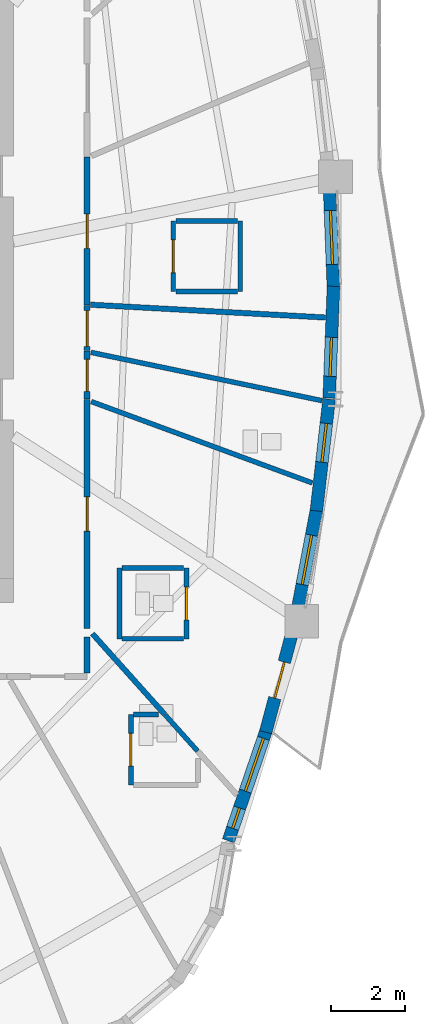
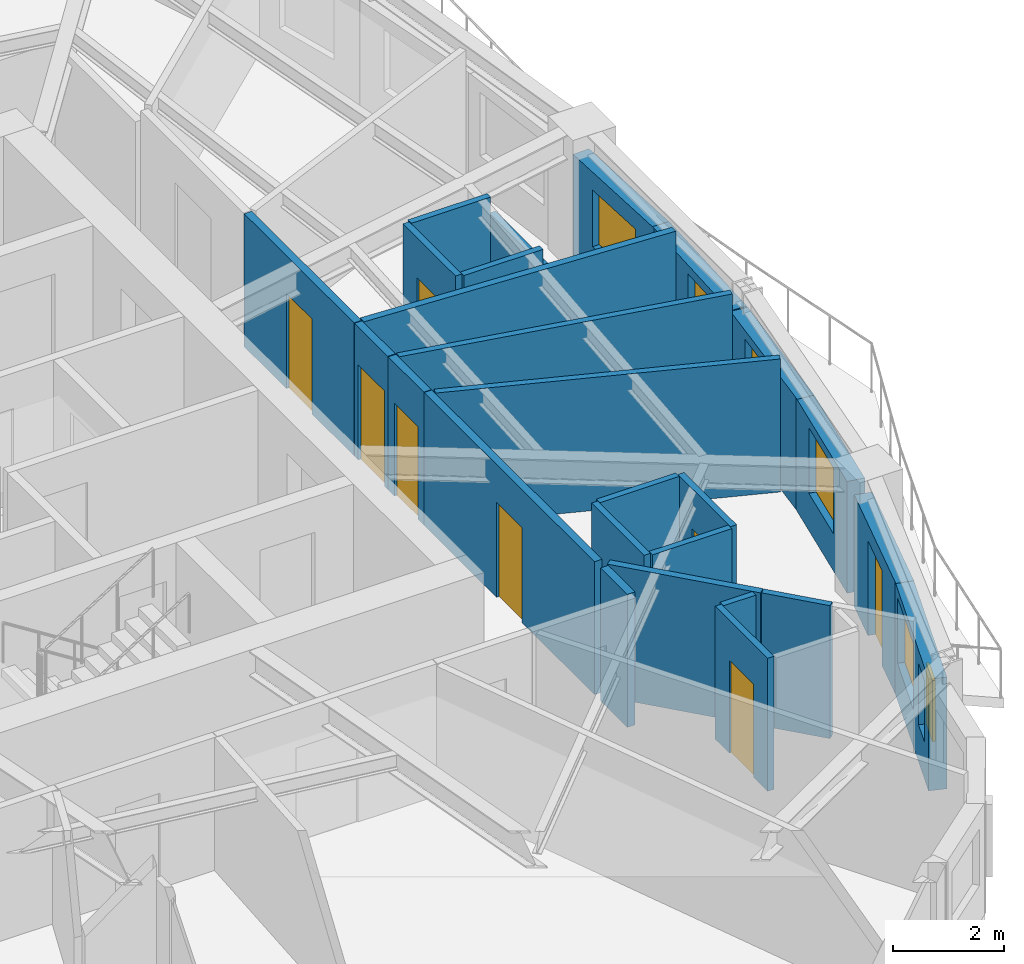
# One storey, part 7 of 13: 26 walls, 8 doors, 6 windows, 14 openings.
"""IFC4 building model written with IfcOpenShell, lengths in metres."""

import ifcopenshell
import ifcopenshell.guid

model = None  # the IFC model being written
_history = None  # IfcOwnerHistory: only IFC2X3 demands one
_inside = {}  # id of a spatial element -> (the spatial element, [elements in it])
_under = {}  # id of a project, library or spatial element -> (it, [spatial elements below it])
_declared = {}  # id of a project -> (the project, [libraries it declares])
_typed = {}  # id of a type object -> (the type object, [elements of that type])
_made_of = {}  # id of a material, layer set ... -> (it, [elements and type objects made of it])


def new_model(schema):
    """Start an empty IFC model of exactly this schema.

    Asked for "IFC4X3", IfcOpenShell would pick the latest addendum, in which some entities
    have other attributes; the version numbers below select the first issue.
    IFC2X3 requires an IfcOwnerHistory on every rooted entity: one is made here for all.
    """
    global model, _history
    if schema == "IFC4X3":
        model = ifcopenshell.file(schema_version=(4, 3, 0, 0))
    else:
        model = ifcopenshell.file(schema=schema)
    _inside.clear()
    _under.clear()
    _declared.clear()
    _typed.clear()
    _made_of.clear()
    _history = None
    if model.schema == "IFC2X3":
        org = make("IfcOrganization", Name="unknown")
        user = make(
            "IfcPersonAndOrganization",
            ThePerson=make("IfcPerson", FamilyName="unknown"),
            TheOrganization=org,
        )
        app = make(
            "IfcApplication",
            ApplicationDeveloper=org,
            Version="unknown",
            ApplicationFullName="unknown",
            ApplicationIdentifier="unknown",
        )
        _history = make(
            "IfcOwnerHistory",
            OwningUser=user,
            OwningApplication=app,
            ChangeAction="ADDED",
            CreationDate=0,
        )
    return model


def make(cls, **values):
    """One entity of the class cls with the attributes given. An attribute that is None is left unset."""
    return model.create_entity(
        cls, **{name: value for name, value in values.items() if value is not None}
    )


def rooted(cls, **values):
    """An entity with a GlobalId (a new one), such as an element, a storey or a relation."""
    return make(cls, GlobalId=ifcopenshell.guid.new(), OwnerHistory=_history, **values)


def si_unit(unit_type, name, prefix=None):
    """IfcSIUnit, for example si_unit("LENGTHUNIT", "METRE", prefix="MILLI")."""
    return make("IfcSIUnit", UnitType=unit_type, Prefix=prefix, Name=name)


def assignment(units):
    """IfcUnitAssignment: the units of a project."""
    return None if units is None else make("IfcUnitAssignment", Units=units)


def point(xyz):
    """IfcCartesianPoint."""
    return None if xyz is None else make("IfcCartesianPoint", Coordinates=xyz)


def direction(xyz):
    """IfcDirection."""
    return None if xyz is None else make("IfcDirection", DirectionRatios=xyz)


def frame(location, z_axis=None, x_axis=None):
    """IfcAxis2Placement3D, a coordinate frame: its origin and axes. An axis left out is left unset."""
    return make(
        "IfcAxis2Placement3D",
        Location=point(location),
        Axis=direction(z_axis),
        RefDirection=direction(x_axis),
    )


def frame_2d(location, x_axis=None):
    """IfcAxis2Placement2D, a coordinate frame in the plane: its origin and x axis."""
    return make(
        "IfcAxis2Placement2D", Location=point(location), RefDirection=direction(x_axis)
    )


def origin():
    """The frame at (0, 0, 0) with its axes left unset."""
    return frame((0.0, 0.0, 0.0))


def place(relative_to, where):
    """IfcLocalPlacement: puts the frame where relative to a parent placement (None: the world)."""
    return make(
        "IfcLocalPlacement", PlacementRelTo=relative_to, RelativePlacement=where
    )


def context(
    kind, dimensions, precision=None, world=None, true_north=None, identifier=None
):
    """IfcGeometricRepresentationContext, for example the 3D "Model" context."""
    return make(
        "IfcGeometricRepresentationContext",
        ContextIdentifier=identifier,
        ContextType=kind,
        CoordinateSpaceDimension=dimensions,
        Precision=precision,
        WorldCoordinateSystem=world,
        TrueNorth=true_north,
    )


def subcontext(parent, identifier, kind, view, scale=None):
    """IfcGeometricRepresentationSubContext, for example "Body" below "Model"."""
    return make(
        "IfcGeometricRepresentationSubContext",
        ContextIdentifier=identifier,
        ContextType=kind,
        ParentContext=parent,
        TargetScale=scale,
        TargetView=view,
    )


def project(units=None, contexts=None):
    """IfcProject with its units and contexts."""
    return rooted(
        "IfcProject",
        Name="project",
        RepresentationContexts=contexts,
        UnitsInContext=assignment(units),
    )


def spatial(cls, under=None, at=None, **own):
    """A site, building, storey or space (cls), placed at a placement, below another one or the project."""
    s = rooted(cls, ObjectPlacement=at, **own)
    if under is not None:
        _under.setdefault(under.id(), (under, []))[1].append(s)
    return s


def profile(cls, at=None, kind="AREA", **sizes):
    """A parametric profile (cls). Its sizes go by their IFC names, for example OverallWidth=200.0."""
    return make(cls, ProfileType=kind, Position=at, **sizes)


def rectangle(**sizes):
    """IfcRectangleProfileDef."""
    return profile("IfcRectangleProfileDef", **sizes)


def extrude(swept, where, along, depth):
    """IfcExtrudedAreaSolid: the profile swept, set in the frame where, extruded along a direction by depth."""
    return make(
        "IfcExtrudedAreaSolid",
        SweptArea=swept,
        Position=where,
        ExtrudedDirection=direction(along),
        Depth=depth,
    )


def shape(context_of_items, identifier, shape_type, items):
    """IfcShapeRepresentation: the items that make up one representation, for example the "Body"."""
    return make(
        "IfcShapeRepresentation",
        ContextOfItems=context_of_items,
        RepresentationIdentifier=identifier,
        RepresentationType=shape_type,
        Items=items,
    )


def source(mapping_origin, context_of_items, identifier, shape_type, items):
    """IfcRepresentationMap: a shape defined once, which mapped items show again and again."""
    return make(
        "IfcRepresentationMap",
        MappingOrigin=mapping_origin,
        MappedRepresentation=shape(context_of_items, identifier, shape_type, items),
    )


def transform(
    local_origin,
    x_axis=None,
    y_axis=None,
    z_axis=None,
    scale=None,
    scale2=None,
    scale3=None,
    uniform=True,
):
    """IfcCartesianTransformationOperator3D, or its non-uniform kind. x_axis, y_axis, z_axis: its Axis1, 2, 3."""
    if uniform:
        return make(
            "IfcCartesianTransformationOperator3D",
            Axis1=direction(x_axis),
            Axis2=direction(y_axis),
            LocalOrigin=point(local_origin),
            Scale=scale,
            Axis3=direction(z_axis),
        )
    return make(
        "IfcCartesianTransformationOperator3DnonUniform",
        Axis1=direction(x_axis),
        Axis2=direction(y_axis),
        LocalOrigin=point(local_origin),
        Scale=scale,
        Axis3=direction(z_axis),
        Scale2=scale2,
        Scale3=scale3,
    )


def mapped(mapping_source, mapping_target):
    """IfcMappedItem: shows the shape of a source again, moved by a transform."""
    return make(
        "IfcMappedItem", MappingSource=mapping_source, MappingTarget=mapping_target
    )


def material(Name=None, Category=None):
    """IfcMaterial."""
    return make("IfcMaterial", Name=Name, Category=Category)


def layer(
    of_material, thickness, ventilated=None, Name=None, Category=None, Priority=None
):
    """IfcMaterialLayer: one layer of a wall or slab, of a material (None: an air gap)."""
    return make(
        "IfcMaterialLayer",
        Material=of_material,
        LayerThickness=thickness,
        IsVentilated=ventilated,
        Name=Name,
        Category=Category,
        Priority=Priority,
    )


def layer_set(layers, Name=None):
    """IfcMaterialLayerSet."""
    return make("IfcMaterialLayerSet", MaterialLayers=layers, LayerSetName=Name)


def made_of(thing, what):
    """Note that an element or type object is made of a material, layer set ...; save() writes the relation."""
    if what is not None:
        _made_of.setdefault(what.id(), (what, []))[1].append(thing)
    return thing


def type_object(cls, material=None, **own):
    """A type object (cls), such as IfcWallType, which elements share."""
    return made_of(rooted(cls, **own), material)


def element(
    cls,
    number,
    at=None,
    inside=None,
    cuts=None,
    type_object=None,
    material=None,
    context=None,
    identifier="Body",
    shape_type=None,
    held_by="IfcProductDefinitionShape",
    body=None,
    shapes=None,
    **own,
):
    """One element of the class cls, such as IfcWall. Its Tag is "e" and its number.

    at: its placement. inside: the storey or other place that contains it. cuts: it is an
    opening in that element (IfcRelVoidsElement). A single representation is given by context,
    identifier, shape_type and body (its items); several are given by shapes. held_by: the class
    of the entity that holds the representations. save() writes the other relations.
    """
    e = rooted(cls, Tag="e%d" % number, ObjectPlacement=at, **own)
    if body is not None:
        shapes = [shape(context, identifier, shape_type, body)]
    if shapes is not None:
        e.Representation = make(held_by, Representations=shapes)
    if inside is not None:
        _inside.setdefault(inside.id(), (inside, []))[1].append(e)
    if cuts is not None:
        rooted(
            "IfcRelVoidsElement", RelatingBuildingElement=cuts, RelatedOpeningElement=e
        )
    if type_object is not None:
        _typed.setdefault(type_object.id(), (type_object, []))[1].append(e)
    return made_of(e, material)


def fill(opening, filler):
    """IfcRelFillsElement: the door or window that sits in an opening."""
    return rooted(
        "IfcRelFillsElement",
        RelatingOpeningElement=opening,
        RelatedBuildingElement=filler,
    )


def aggregate(whole, parts):
    """IfcRelAggregates: a whole, such as a stair, and the parts it consists of."""
    return rooted("IfcRelAggregates", RelatingObject=whole, RelatedObjects=parts)


def save(model, path):
    """Write the relations noted so far, then the file.

    IfcRelAggregates (storeys below a building ...), IfcRelContainedInSpatialStructure (elements
    in a storey), IfcRelDefinesByType, IfcRelAssociatesMaterial and IfcRelDeclares: one each for
    every whole, place, type object, material and project.
    """
    for whole, parts in _under.values():
        aggregate(whole, parts)
    for where, things in _inside.values():
        rooted(
            "IfcRelContainedInSpatialStructure",
            RelatedElements=things,
            RelatingStructure=where,
        )
    for kind, things in _typed.values():
        rooted("IfcRelDefinesByType", RelatedObjects=things, RelatingType=kind)
    for what, things in _made_of.values():
        rooted("IfcRelAssociatesMaterial", RelatedObjects=things, RelatingMaterial=what)
    for by, libraries in _declared.values():
        rooted("IfcRelDeclares", RelatingContext=by, RelatedDefinitions=libraries)
    model.write(path)


model = new_model("IFC4")

# Units and contexts
model_context = context("Model", 3, precision=1e-05, world=origin(), true_north=direction((0.0, 1.0)))
body_context = subcontext(model_context, "Body", "Model", "MODEL_VIEW")
ifc_project = project(units=[si_unit("LENGTHUNIT", "METRE"), si_unit("AREAUNIT", "SQUARE_METRE"), si_unit("VOLUMEUNIT", "CUBIC_METRE"), si_unit("PLANEANGLEUNIT", "RADIAN"), si_unit("MASSUNIT", "GRAM", prefix="KILO")], contexts=[model_context])

# Site, building, storey
site_placement = place(None, origin())
site = spatial("IfcSite", under=ifc_project, at=site_placement, CompositionType="ELEMENT")
building_placement = place(site_placement, origin())
building = spatial("IfcBuilding", under=site, at=building_placement, Name="Qafzar Sky-Pleat Residences", CompositionType="ELEMENT")
storey_placement = place(building_placement, frame((0.0, 0.0, 105.60009765625)))
storey = spatial("IfcBuildingStorey", under=building, at=storey_placement, Name="L31", CompositionType="ELEMENT", Elevation=105.60009765625)

# Wall, opening, door
ifc_material_1 = material(Name="Acoustic gypsum plasterboard partition", Category="gypsum")
ifc_layer_1 = layer(ifc_material_1, 0.159912109375)
ifc_layer_set_1 = layer_set([ifc_layer_1], Name="Acoustic gypsum plasterboard partition")
wall_type_1 = type_object("IfcWallType", Name="PART-COR-160", PredefinedType="PARTITIONING", material=ifc_layer_set_1)
wall_1_placement = place(storey_placement, frame((38.530029296875, 23.0048828125, 0.0), z_axis=(0.0, 0.0, 1.0), x_axis=(0.0, -1.0, 0.0)))
wall_1 = element("IfcWall", 1, at=wall_1_placement, inside=storey, type_object=wall_type_1, Name="L31 Partition Wall PART-L31-PW-001", PredefinedType="PARTITIONING", context=body_context, shape_type="SweptSolid", body=[
    extrude(rectangle(XDim=6.156982421875, YDim=0.159912109375, at=frame_2d((3.07861328125, 0.0))), origin(), (0.0, 0.0, 1.0), 2.934814453125),
])
opening_1_placement = place(wall_1_placement, frame((2.615478515625, 0.0, 0.0)))
opening_1 = element("IfcOpeningElement", 2, at=opening_1_placement, cuts=wall_1, Name="Opening ID-04", PredefinedType="OPENING", context=body_context, shape_type="SweptSolid", body=[
    extrude(rectangle(XDim=0.919921875, YDim=2.10009765625, at=frame_2d((0.4599609375, 1.050048828125))), frame((0.0, 0.08984375, 0.0), z_axis=(0.0, -1.0, 0.0), x_axis=(1.0, 0.0, 0.0)), (0.0, 0.0, 1.0), 0.179931640625),
])
ifc_material_2 = material(Name="Timber-faced fire door", Category="wood")
door_type_1 = type_object("IfcDoorType", Name="DR-BED-920", OperationType="NOTDEFINED", PredefinedType="DOOR", material=ifc_material_2)
shared_shape_1 = source(origin(), body_context, "Body", "SweptSolid", [
    extrude(rectangle(XDim=0.919921875, YDim=2.10009765625, at=frame_2d((0.4599609375, 1.050048828125))), frame((0.0, 0.02490234375, 0.0), z_axis=(0.0, -1.0, 0.0), x_axis=(1.0, 0.0, 0.0)), (0.0, 0.0, 1.0), 0.050048828125),
])
door_1_placement = place(opening_1_placement, origin())
door_1 = element("IfcDoor", 3, at=door_1_placement, inside=storey, type_object=door_type_1, Name="L31 Co-Living Bedroom 4 Door", OperationType="SINGLE_SWING_RIGHT", OverallHeight=2.10009765625, OverallWidth=0.919921875, PredefinedType="DOOR", context=body_context, shape_type="MappedRepresentation", body=[
    mapped(shared_shape_1, transform((0.0, 0.0, 0.0), x_axis=(1.0, 0.0, 0.0), y_axis=(0.0, 1.0, 0.0), z_axis=(0.0, 0.0, 1.0), scale=1.0)),
])
fill(opening_1, door_1)

wall_2_placement = place(storey_placement, frame((38.530029296875, 29.513916015625, 0.0), z_axis=(0.0, 0.0, 1.0), x_axis=(0.0, -1.0, 0.0)))
wall_2 = element("IfcWall", 4, at=wall_2_placement, inside=storey, type_object=wall_type_1, Name="L31 Partition Wall PART-L31-PW-005", PredefinedType="PARTITIONING", context=body_context, shape_type="SweptSolid", body=[
    extrude(rectangle(XDim=3.973876953125, YDim=0.159912109375, at=frame_2d((1.98681640625, 0.0))), origin(), (0.0, 0.0, 1.0), 2.934814453125),
])
opening_2_placement = place(wall_2_placement, frame((1.528076171875, 0.0, 0.0)))
opening_2 = element("IfcOpeningElement", 5, at=opening_2_placement, cuts=wall_2, Name="Opening ID-04", PredefinedType="OPENING", context=body_context, shape_type="SweptSolid", body=[
    extrude(rectangle(XDim=0.919921875, YDim=2.10009765625, at=frame_2d((0.4599609375, 1.050048828125))), frame((0.0, 0.08984375, 0.0), z_axis=(0.0, -1.0, 0.0), x_axis=(1.0, 0.0, 0.0)), (0.0, 0.0, 1.0), 0.179931640625),
])
door_2_placement = place(opening_2_placement, origin())
door_2 = element("IfcDoor", 6, at=door_2_placement, inside=storey, type_object=door_type_1, Name="L31 Co-Living Bedroom 5 Door", OperationType="SINGLE_SWING_LEFT", OverallHeight=2.10009765625, OverallWidth=0.919921875, PredefinedType="DOOR", context=body_context, shape_type="MappedRepresentation", body=[
    mapped(shared_shape_1, transform((0.0, 0.0, 0.0), x_axis=(1.0, 0.0, 0.0), y_axis=(0.0, 1.0, 0.0), z_axis=(0.0, 0.0, 1.0), scale=1.0)),
])
fill(opening_2, door_2)

wall_3_placement = place(storey_placement, frame((38.530029296875, 24.305908203125, 0.0), z_axis=(0.0, 0.0, 1.0), x_axis=(0.0, -1.0, 0.0)))
wall_3 = element("IfcWall", 7, at=wall_3_placement, inside=storey, type_object=wall_type_1, Name="L31 Partition Wall PART-L31-PW-029", PredefinedType="PARTITIONING", context=body_context, shape_type="SweptSolid", body=[
    extrude(rectangle(XDim=1.285888671875, YDim=0.159912109375, at=frame_2d((0.64306640625, 0.0))), origin(), (0.0, 0.0, 1.0), 2.934814453125),
])
opening_3_placement = place(wall_3_placement, frame((0.22607421875, 0.0, 0.0)))
opening_3 = element("IfcOpeningElement", 8, at=opening_3_placement, cuts=wall_3, Name="Opening ID-09", PredefinedType="OPENING", context=body_context, shape_type="SweptSolid", body=[
    extrude(rectangle(XDim=0.860107421875, YDim=2.050048828125, at=frame_2d((0.43017578125, 1.02490234375))), frame((0.0, 0.08984375, 0.0), z_axis=(0.0, -1.0, 0.0), x_axis=(1.0, 0.0, 0.0)), (0.0, 0.0, 1.0), 0.179931640625),
])
door_type_2 = type_object("IfcDoorType", Name="DR-SVC-860", OperationType="NOTDEFINED", PredefinedType="DOOR", material=ifc_material_2)
shared_shape_2 = source(origin(), body_context, "Body", "SweptSolid", [
    extrude(rectangle(XDim=0.860107421875, YDim=2.050048828125, at=frame_2d((0.43017578125, 1.02490234375))), frame((0.0, 0.02490234375, 0.0), z_axis=(0.0, -1.0, 0.0), x_axis=(1.0, 0.0, 0.0)), (0.0, 0.0, 1.0), 0.050048828125),
])
door_3_placement = place(opening_3_placement, origin())
door_3 = element("IfcDoor", 9, at=door_3_placement, inside=storey, type_object=door_type_2, Name="L31 Accessible Shared Washroom Door", OperationType="SINGLE_SWING_RIGHT", OverallHeight=2.050048828125, OverallWidth=0.860107421875, PredefinedType="DOOR", context=body_context, shape_type="MappedRepresentation", body=[
    mapped(shared_shape_2, transform((0.0, 0.0, 0.0), x_axis=(1.0, 0.0, 0.0), y_axis=(0.0, 1.0, 0.0), z_axis=(0.0, 0.0, 1.0), scale=1.0)),
])
fill(opening_3, door_3)

wall_4_placement = place(storey_placement, frame((38.530029296875, 25.52490234375, 0.0), z_axis=(0.0, 0.0, 1.0), x_axis=(0.0, -1.0, 0.0)))
wall_4 = element("IfcWall", 10, at=wall_4_placement, inside=storey, type_object=wall_type_1, Name="L31 Partition Wall PART-L31-PW-030", PredefinedType="PARTITIONING", context=body_context, shape_type="SweptSolid", body=[
    extrude(rectangle(XDim=1.203857421875, YDim=0.159912109375, at=frame_2d((0.60205078125, 0.0))), origin(), (0.0, 0.0, 1.0), 2.934814453125),
])
opening_4_placement = place(wall_4_placement, frame((0.13427734375, 0.0, 0.0)))
opening_4 = element("IfcOpeningElement", 11, at=opening_4_placement, cuts=wall_4, Name="Opening ID-06", PredefinedType="OPENING", context=body_context, shape_type="SweptSolid", body=[
    extrude(rectangle(XDim=0.9599609375, YDim=2.10009765625, at=frame_2d((0.47998046875, 1.050048828125))), frame((0.0, 0.08984375, 0.0), z_axis=(0.0, -1.0, 0.0), x_axis=(1.0, 0.0, 0.0)), (0.0, 0.0, 1.0), 0.179931640625),
])
door_type_3 = type_object("IfcDoorType", Name="DR-STD-960", OperationType="NOTDEFINED", PredefinedType="DOOR", material=ifc_material_2)
shared_shape_3 = source(origin(), body_context, "Body", "SweptSolid", [
    extrude(rectangle(XDim=0.9599609375, YDim=2.10009765625, at=frame_2d((0.47998046875, 1.050048828125))), frame((0.0, 0.02490234375, 0.0), z_axis=(0.0, -1.0, 0.0), x_axis=(1.0, 0.0, 0.0)), (0.0, 0.0, 1.0), 0.050048828125),
])
door_4_placement = place(opening_4_placement, origin())
door_4 = element("IfcDoor", 12, at=door_4_placement, inside=storey, type_object=door_type_3, Name="L31 Scholar Study Room Door", OperationType="SINGLE_SWING_LEFT", OverallHeight=2.10009765625, OverallWidth=0.9599609375, PredefinedType="DOOR", context=body_context, shape_type="MappedRepresentation", body=[
    mapped(shared_shape_3, transform((0.0, 0.0, 0.0), x_axis=(1.0, 0.0, 0.0), y_axis=(0.0, 1.0, 0.0), z_axis=(0.0, 0.0, 1.0), scale=1.0)),
])
fill(opening_4, door_4)

# Walls
wall_5_placement = place(storey_placement, frame((38.530029296875, 15.657958984375, 0.0), z_axis=(0.0, 0.0, 1.0), x_axis=(0.0, 1.0, 0.0)))
element("IfcWall", 13, at=wall_5_placement, inside=storey, type_object=wall_type_1, Name="L31 Partition Wall PART-L31-PW-077", PredefinedType="PARTITIONING", context=body_context, shape_type="SweptSolid", body=[
    extrude(rectangle(XDim=0.968994140625, YDim=0.159912109375, at=frame_2d((0.484375, 0.0))), origin(), (0.0, 0.0, 1.0), 2.934814453125),
])
ifc_layer_2 = layer(ifc_material_1, 0.14501953125)
ifc_layer_set_2 = layer_set([ifc_layer_2], Name="Acoustic gypsum plasterboard partition")
wall_type_2 = type_object("IfcWallType", Name="PART-UNIT-145", PredefinedType="PARTITIONING", material=ifc_layer_set_2)
wall_6_placement = place(storey_placement, frame((38.621826171875, 25.550048828125, 0.0), z_axis=(0.0, 0.0, 1.0), x_axis=(0.998518036703, -0.054421782211, 0.0)))
element("IfcWall", 14, at=wall_6_placement, inside=storey, type_object=wall_type_2, Name="L31 Partition Wall PART-L31-PW-045", PredefinedType="PARTITIONING", context=body_context, shape_type="SweptSolid", body=[
    extrude(rectangle(XDim=6.32080078125, YDim=0.14501953125, at=frame_2d((3.160400390625, 0.0))), origin(), (0.0, 0.0, 1.0), 2.934814453125),
])
wall_7_placement = place(storey_placement, frame((38.669189453125, 16.714599609375, 0.0), z_axis=(0.0, 0.0, 1.0), x_axis=(0.667262858083, -0.744822313188, 0.0)))
element("IfcWall", 15, at=wall_7_placement, inside=storey, type_object=wall_type_2, Name="L31 Partition Wall PART-L31-PW-052", PredefinedType="PARTITIONING", context=body_context, shape_type="SweptSolid", body=[
    extrude(rectangle(XDim=2.91162109375, YDim=0.14501953125, at=frame_2d((1.455810546875, 0.0))), origin(), (0.0, 0.0, 1.0), 2.934814453125),
])

# Wall, opening, door
ifc_material_3 = material(Name="Moisture-resistant gypsum partition", Category="gypsum")
ifc_layer_3 = layer(ifc_material_3, 0.1298828125)
ifc_layer_set_3 = layer_set([ifc_layer_3], Name="Moisture-resistant gypsum partition")
wall_type_3 = type_object("IfcWallType", Name="PART-WET-130", PredefinedType="PARTITIONING", material=ifc_layer_set_3)
wall_8_placement = place(storey_placement, frame((39.7041015625, 14.5458984375, 0.0), z_axis=(0.0, 0.0, 1.0), x_axis=(0.0, -1.0, 0.0)))
wall_8 = element("IfcWall", 16, at=wall_8_placement, inside=storey, type_object=wall_type_3, Name="L31 Partition Wall PART-L31-PW-019", PredefinedType="PARTITIONING", context=body_context, shape_type="SweptSolid", body=[
    extrude(rectangle(XDim=1.89990234375, YDim=0.1298828125, at=frame_2d((0.949951171875, 0.0))), origin(), (0.0, 0.0, 1.0), 2.934814453125),
])
opening_5_placement = place(wall_8_placement, frame((0.510009765625, 0.0, 0.0)))
opening_5 = element("IfcOpeningElement", 17, at=opening_5_placement, cuts=wall_8, Name="Opening ID-07", PredefinedType="OPENING", context=body_context, shape_type="SweptSolid", body=[
    extrude(rectangle(XDim=0.8798828125, YDim=2.050048828125, at=frame_2d((0.43994140625, 1.02490234375))), frame((0.0, 0.074951171875, 0.0), z_axis=(0.0, -1.0, 0.0), x_axis=(1.0, 0.0, 0.0)), (0.0, 0.0, 1.0), 0.14990234375),
])
door_type_4 = type_object("IfcDoorType", Name="DR-WET-880", OperationType="NOTDEFINED", PredefinedType="DOOR", material=ifc_material_2)
shared_shape_4 = source(origin(), body_context, "Body", "SweptSolid", [
    extrude(rectangle(XDim=0.8798828125, YDim=2.050048828125, at=frame_2d((0.43994140625, 1.02490234375))), frame((0.0, 0.02490234375, 0.0), z_axis=(0.0, -1.0, 0.0), x_axis=(1.0, 0.0, 0.0)), (0.0, 0.0, 1.0), 0.050048828125),
])
door_5_placement = place(opening_5_placement, origin())
door_5 = element("IfcDoor", 18, at=door_5_placement, inside=storey, type_object=door_type_4, Name="L31 En-suite Bathroom 3 Door", OperationType="SINGLE_SWING_RIGHT", OverallHeight=2.050048828125, OverallWidth=0.8798828125, PredefinedType="DOOR", context=body_context, shape_type="MappedRepresentation", body=[
    mapped(shared_shape_4, transform((0.0, 0.0, 0.0), x_axis=(1.0, 0.0, 0.0), y_axis=(0.0, 1.0, 0.0), z_axis=(0.0, 0.0, 1.0), scale=1.0)),
])
fill(opening_5, door_5)

wall_9_placement = place(storey_placement, frame((41.195068359375, 16.575927734375, 0.0), z_axis=(0.0, 0.0, 1.0), x_axis=(0.0, 1.0, 0.0)))
wall_9 = element("IfcWall", 19, at=wall_9_placement, inside=storey, type_object=wall_type_3, Name="L31 Partition Wall PART-L31-PW-020", PredefinedType="PARTITIONING", context=body_context, shape_type="SweptSolid", body=[
    extrude(rectangle(XDim=1.900146484375, YDim=0.1298828125, at=frame_2d((0.9501953125, 0.0))), origin(), (0.0, 0.0, 1.0), 2.934814453125),
])
opening_6_placement = place(wall_9_placement, frame((0.510009765625, 0.0, 0.0)))
opening_6 = element("IfcOpeningElement", 20, at=opening_6_placement, cuts=wall_9, Name="Opening ID-07", PredefinedType="OPENING", context=body_context, shape_type="SweptSolid", body=[
    extrude(rectangle(XDim=0.8798828125, YDim=2.050048828125, at=frame_2d((0.43994140625, 1.02490234375))), frame((0.0, 0.074951171875, 0.0), z_axis=(0.0, -1.0, 0.0), x_axis=(1.0, 0.0, 0.0)), (0.0, 0.0, 1.0), 0.14990234375),
])
door_6_placement = place(opening_6_placement, origin())
door_6 = element("IfcDoor", 21, at=door_6_placement, inside=storey, type_object=door_type_4, Name="L31 En-suite Bathroom 4 Door", OperationType="SINGLE_SWING_LEFT", OverallHeight=2.050048828125, OverallWidth=0.8798828125, PredefinedType="DOOR", context=body_context, shape_type="MappedRepresentation", body=[
    mapped(shared_shape_4, transform((0.0, 0.0, 0.0), x_axis=(1.0, 0.0, 0.0), y_axis=(0.0, 1.0, 0.0), z_axis=(0.0, 0.0, 1.0), scale=1.0)),
])
fill(opening_6, door_6)

wall_10_placement = place(storey_placement, frame((40.842041015625, 27.802001953125, 0.0), z_axis=(0.0, 0.0, 1.0), x_axis=(0.0, -1.0, 0.0)))
wall_10 = element("IfcWall", 22, at=wall_10_placement, inside=storey, type_object=wall_type_3, Name="L31 Partition Wall PART-L31-PW-021", PredefinedType="PARTITIONING", context=body_context, shape_type="SweptSolid", body=[
    extrude(rectangle(XDim=1.89990234375, YDim=0.1298828125, at=frame_2d((0.949951171875, 0.0))), origin(), (0.0, 0.0, 1.0), 2.934814453125),
])
opening_7_placement = place(wall_10_placement, frame((0.510009765625, 0.0, 0.0)))
opening_7 = element("IfcOpeningElement", 23, at=opening_7_placement, cuts=wall_10, Name="Opening ID-07", PredefinedType="OPENING", context=body_context, shape_type="SweptSolid", body=[
    extrude(rectangle(XDim=0.8798828125, YDim=2.050048828125, at=frame_2d((0.43994140625, 1.02490234375))), frame((0.0, 0.074951171875, 0.0), z_axis=(0.0, -1.0, 0.0), x_axis=(1.0, 0.0, 0.0)), (0.0, 0.0, 1.0), 0.14990234375),
])
door_7_placement = place(opening_7_placement, origin())
door_7 = element("IfcDoor", 24, at=door_7_placement, inside=storey, type_object=door_type_4, Name="L31 En-suite Bathroom 5 Door", OperationType="SINGLE_SWING_RIGHT", OverallHeight=2.050048828125, OverallWidth=0.8798828125, PredefinedType="DOOR", context=body_context, shape_type="MappedRepresentation", body=[
    mapped(shared_shape_4, transform((0.0, 0.0, 0.0), x_axis=(1.0, 0.0, 0.0), y_axis=(0.0, 1.0, 0.0), z_axis=(0.0, 0.0, 1.0), scale=1.0)),
])
fill(opening_7, door_7)

# Walls
wall_11_placement = place(storey_placement, frame((38.639892578125, 22.948486328125, 0.0), z_axis=(0.0, 0.0, 1.0), x_axis=(0.938426101424, -0.3454800315, 0.0)))
element("IfcWall", 25, at=wall_11_placement, inside=storey, type_object=wall_type_3, Name="L31 Partition Wall PART-L31-PW-043", PredefinedType="PARTITIONING", context=body_context, shape_type="SweptSolid", body=[
    extrude(rectangle(XDim=6.326904296875, YDim=0.1298828125, at=frame_2d((3.16357421875, 0.0))), origin(), (0.0, 0.0, 1.0), 2.934814453125),
])
wall_12_placement = place(storey_placement, frame((38.631103515625, 24.27001953125, 0.0), z_axis=(0.0, 0.0, 1.0), x_axis=(0.978856283814, -0.204549201019, 0.0)))
element("IfcWall", 26, at=wall_12_placement, inside=storey, type_object=wall_type_3, Name="L31 Partition Wall PART-L31-PW-044", PredefinedType="PARTITIONING", context=body_context, shape_type="SweptSolid", body=[
    extrude(rectangle(XDim=6.34130859375, YDim=0.1298828125, at=frame_2d((3.170654296875, 0.0))), origin(), (0.0, 0.0, 1.0), 2.934814453125),
])
wall_13_placement = place(storey_placement, frame((39.39501953125, 16.575927734375, 0.0), z_axis=(0.0, 0.0, 1.0), x_axis=(0.0, 1.0, 0.0)))
element("IfcWall", 27, at=wall_13_placement, inside=storey, type_object=wall_type_3, Name="L31 Partition Wall PART-L31-PW-057", PredefinedType="PARTITIONING", context=body_context, shape_type="SweptSolid", body=[
    extrude(rectangle(XDim=1.900146484375, YDim=0.1298828125, at=frame_2d((0.9501953125, 0.0))), origin(), (0.0, 0.0, 1.0), 2.934814453125),
])
wall_14_placement = place(storey_placement, frame((42.64208984375, 25.902099609375, 0.0), z_axis=(0.0, 0.0, 1.0), x_axis=(0.0, 1.0, 0.0)))
element("IfcWall", 28, at=wall_14_placement, inside=storey, type_object=wall_type_3, Name="L31 Partition Wall PART-L31-PW-058", PredefinedType="PARTITIONING", context=body_context, shape_type="SweptSolid", body=[
    extrude(rectangle(XDim=1.89990234375, YDim=0.1298828125, at=frame_2d((0.949951171875, 0.0))), origin(), (0.0, 0.0, 1.0), 2.54296875),
])
for number, where, z_axis, x_axis, name in (
    (29, (40.9150390625, 27.802001953125, 0.0), (0.0, 0.0, 1.0), (1.0, 0.0, 0.0), "L31 Partition Wall PART-L31-PW-061"),
    (30, (40.9150390625, 25.902099609375, 0.0), (0.0, 0.0, 1.0), (1.0, 0.0, 0.0), "L31 Partition Wall PART-L31-PW-062"),
    (31, (39.468017578125, 18.47607421875, 0.0), (0.0, 0.0, 1.0), (1.0, 0.0, 0.0), "L31 Partition Wall PART-L31-PW-069"),
    (32, (39.468017578125, 16.575927734375, 0.0), (0.0, 0.0, 1.0), (1.0, 0.0, 0.0), "L31 Partition Wall PART-L31-PW-070"),
):
    element("IfcWall", number, at=place(storey_placement, frame(where, z_axis=z_axis, x_axis=x_axis)), inside=storey, type_object=wall_type_3, Name=name, PredefinedType="PARTITIONING", context=body_context, shape_type="SweptSolid", body=[
        extrude(rectangle(XDim=1.654052734375, YDim=0.1298828125, at=frame_2d((0.8271484375, 0.0))), origin(), (0.0, 0.0, 1.0), 2.934814453125),
    ])
wall_15_placement = place(storey_placement, frame((40.6220703125, 14.534912109375, 0.0), z_axis=(0.0, 0.0, 1.0), x_axis=(0.667455683483, -0.744649521981, 0.0)))
element("IfcWall", 33, at=wall_15_placement, inside=storey, type_object=wall_type_3, Name="L31 Partition Wall PART-L31-PW-076", PredefinedType="PARTITIONING", context=body_context, shape_type="SweptSolid", body=[
    extrude(rectangle(XDim=1.30615234375, YDim=0.1298828125, at=frame_2d((0.653076171875, 0.0))), origin(), (0.0, 0.0, 1.0), 2.934814453125),
])
wall_16_placement = place(storey_placement, frame((39.777099609375, 14.5458984375, 0.0), z_axis=(0.0, 0.0, 1.0), x_axis=(1.0, 0.0, 0.0)))
element("IfcWall", 34, at=wall_16_placement, inside=storey, type_object=wall_type_3, Name="L31 Partition Wall PART-L31-PW-083", PredefinedType="PARTITIONING", context=body_context, shape_type="SweptSolid", body=[
    extrude(rectangle(XDim=0.67138671875, YDim=0.1298828125, at=frame_2d((0.335693359375, 0.0))), origin(), (0.0, 0.0, 1.0), 2.934814453125),
])

# Wall, openings, windows
ifc_material_4 = material(Name="Precast concrete C40/50 with honed Riyadh limestone", Category="concrete")
ifc_layer_4 = layer(ifc_material_4, 0.340087890625)
ifc_layer_set_4 = layer_set([ifc_layer_4], Name="Precast concrete C40/50 with honed Riyadh limestone")
wall_type_4 = type_object("IfcWallType", Name="WALL-EXT-340", PredefinedType="SOLIDWALL", material=ifc_layer_set_4)
wall_17_placement = place(storey_placement, frame((42.322998046875, 11.150634765625, 0.0), z_axis=(0.0, 0.0, 1.0), x_axis=(0.323606092462, 0.94619189223, 0.0)))
wall_17 = element("IfcWall", 35, at=wall_17_placement, inside=storey, type_object=wall_type_4, Name="L31 Limestone Facade Wall 23", PredefinedType="SOLIDWALL", context=body_context, shape_type="SweptSolid", body=[
    extrude(rectangle(XDim=3.17236328125, YDim=0.340087890625, at=frame_2d((1.586181640625, 0.0))), origin(), (0.0, 0.0, 1.0), 2.46484375),
])
opening_8_placement = place(wall_17_placement, frame((0.35302734375, 0.0, 0.820068359375)))
opening_8 = element("IfcOpeningElement", 36, at=opening_8_placement, cuts=wall_17, Name="Opening WN-17", PredefinedType="OPENING", context=body_context, shape_type="SweptSolid", body=[
    extrude(rectangle(XDim=0.580078125, YDim=1.35009765625, at=frame_2d((0.2900390625, 0.675048828125))), frame((0.0, 0.18017578125, 0.0), z_axis=(0.0, -1.0, 0.0), x_axis=(1.0, 0.0, 0.0)), (0.0, 0.0, 1.0), 0.360107421875),
])
opening_9_placement = place(wall_17_placement, frame((1.40966796875, 0.0, 0.820068359375)))
opening_9 = element("IfcOpeningElement", 37, at=opening_9_placement, cuts=wall_17, Name="Opening WN-03", PredefinedType="OPENING", context=body_context, shape_type="SweptSolid", body=[
    extrude(rectangle(XDim=1.5, YDim=1.449951171875, at=frame_2d((0.75, 0.72509765625))), frame((0.0, 0.18017578125, 0.0), z_axis=(0.0, -1.0, 0.0), x_axis=(1.0, 0.0, 0.0)), (0.0, 0.0, 1.0), 0.360107421875),
])
ifc_material_5 = material(Name="Solar-control low-E glass in bronze aluminium frame", Category="glass")
window_type_1 = type_object("IfcWindowType", Name="WIN-17", PartitioningType="SINGLE_PANEL", PredefinedType="WINDOW", material=ifc_material_5)
shared_shape_5 = source(origin(), body_context, "Body", "SweptSolid", [
    extrude(rectangle(XDim=0.580078125, YDim=1.35009765625, at=frame_2d((0.2900390625, 0.675048828125))), frame((0.0, 0.030029296875, 0.0), z_axis=(0.0, -1.0, 0.0), x_axis=(1.0, 0.0, 0.0)), (0.0, 0.0, 1.0), 0.06005859375),
])
window_1_placement = place(opening_8_placement, origin())
window_1 = element("IfcWindow", 38, at=window_1_placement, inside=storey, type_object=window_type_1, Name="L31 Punched Facade Window 23", OverallHeight=1.35009765625, OverallWidth=0.580078125, PartitioningType="SINGLE_PANEL", PredefinedType="WINDOW", context=body_context, shape_type="MappedRepresentation", body=[
    mapped(shared_shape_5, transform((0.0, 0.0, 0.0), x_axis=(1.0, 0.0, 0.0), y_axis=(0.0, 1.0, 0.0), z_axis=(0.0, 0.0, 1.0), scale=1.0)),
])
fill(opening_8, window_1)
window_type_2 = type_object("IfcWindowType", Name="WIN-03", PartitioningType="DOUBLE_PANEL_VERTICAL", PredefinedType="WINDOW", material=ifc_material_5)
shared_shape_6 = source(origin(), body_context, "Body", "SweptSolid", [
    extrude(rectangle(XDim=1.5, YDim=1.449951171875, at=frame_2d((0.75, 0.72509765625))), frame((0.0, 0.030029296875, 0.0), z_axis=(0.0, -1.0, 0.0), x_axis=(1.0, 0.0, 0.0)), (0.0, 0.0, 1.0), 0.06005859375),
])
window_2_placement = place(opening_9_placement, origin())
window_2 = element("IfcWindow", 39, at=window_2_placement, inside=storey, type_object=window_type_2, Name="L31 Punched Facade Window 23-2", OverallHeight=1.449951171875, OverallWidth=1.5, PartitioningType="SINGLE_PANEL", PredefinedType="WINDOW", context=body_context, shape_type="MappedRepresentation", body=[
    mapped(shared_shape_6, transform((0.0, 0.0, 0.0), x_axis=(1.0, 0.0, 0.0), y_axis=(0.0, 1.0, 0.0), z_axis=(0.0, 0.0, 1.0), scale=1.0)),
])
fill(opening_9, window_2)

# Wall, opening, door
wall_18_placement = place(storey_placement, frame((43.32421875, 14.068359375, 0.0), z_axis=(0.0, 0.0, 1.0), x_axis=(0.257085513118, 0.966388658328, 0.0)))
wall_18 = element("IfcWall", 40, at=wall_18_placement, inside=storey, type_object=wall_type_4, Name="L31 Limestone Facade Wall 24", PredefinedType="SOLIDWALL", context=body_context, shape_type="SweptSolid", body=[
    extrude(rectangle(XDim=2.896484375, YDim=0.340087890625, at=frame_2d((1.4482421875, 0.0))), origin(), (0.0, 0.0, 1.0), 2.46484375),
])
opening_10_placement = place(wall_18_placement, frame((0.9482421875, 0.0, 0.0)))
opening_10 = element("IfcOpeningElement", 41, at=opening_10_placement, cuts=wall_18, Name="Opening ED-05", PredefinedType="OPENING", context=body_context, shape_type="SweptSolid", body=[
    extrude(rectangle(XDim=1.0, YDim=2.10009765625, at=frame_2d((0.5, 1.050048828125))), frame((0.0, 0.18017578125, 0.0), z_axis=(0.0, -1.0, 0.0), x_axis=(1.0, 0.0, 0.0)), (0.0, 0.0, 1.0), 0.360107421875),
])
ifc_material_6 = material(Name="Glazed bronze aluminium door", Category="aluminium")
door_type_5 = type_object("IfcDoorType", Name="DR-BAL-1000", OperationType="NOTDEFINED", PredefinedType="DOOR", material=ifc_material_6)
shared_shape_7 = source(origin(), body_context, "Body", "SweptSolid", [
    extrude(rectangle(XDim=1.0, YDim=2.10009765625, at=frame_2d((0.5, 1.050048828125))), frame((0.0, 0.02490234375, 0.0), z_axis=(0.0, -1.0, 0.0), x_axis=(1.0, 0.0, 0.0)), (0.0, 0.0, 1.0), 0.050048828125),
])
door_8_placement = place(opening_10_placement, origin())
door_8 = element("IfcDoor", 42, at=door_8_placement, inside=storey, type_object=door_type_5, Name="L31 Glazed Balcony Door 1", OperationType="SINGLE_SWING_LEFT", OverallHeight=2.10009765625, OverallWidth=1.0, PredefinedType="DOOR", context=body_context, shape_type="MappedRepresentation", body=[
    mapped(shared_shape_7, transform((0.0, 0.0, 0.0), x_axis=(1.0, 0.0, 0.0), y_axis=(0.0, 1.0, 0.0), z_axis=(0.0, 0.0, 1.0), scale=1.0)),
])
fill(opening_10, door_8)

# Wall, opening, window
wall_19_placement = place(storey_placement, frame((44.168212890625, 17.3037109375, 0.0), z_axis=(0.0, 0.0, 1.0), x_axis=(0.186654850509, 0.982425552793, 0.0)))
wall_19 = element("IfcWall", 43, at=wall_19_placement, inside=storey, type_object=wall_type_4, Name="L31 Limestone Facade Wall 25", PredefinedType="SOLIDWALL", context=body_context, shape_type="SweptSolid", body=[
    extrude(rectangle(XDim=2.84619140625, YDim=0.340087890625, at=frame_2d((1.423095703125, 0.0))), origin(), (0.0, 0.0, 1.0), 2.46484375),
])
opening_11_placement = place(wall_19_placement, frame((0.742919921875, 0.0, 0.820068359375)))
opening_11 = element("IfcOpeningElement", 44, at=opening_11_placement, cuts=wall_19, Name="Opening WN-04", PredefinedType="OPENING", context=body_context, shape_type="SweptSolid", body=[
    extrude(rectangle(XDim=1.35009765625, YDim=1.449951171875, at=frame_2d((0.675048828125, 0.72509765625))), frame((0.0, 0.18017578125, 0.0), z_axis=(0.0, -1.0, 0.0), x_axis=(1.0, 0.0, 0.0)), (0.0, 0.0, 1.0), 0.360107421875),
])
window_type_3 = type_object("IfcWindowType", Name="WIN-04", PartitioningType="SINGLE_PANEL", PredefinedType="WINDOW", material=ifc_material_5)
shared_shape_8 = source(origin(), body_context, "Body", "SweptSolid", [
    extrude(rectangle(XDim=1.35009765625, YDim=1.449951171875, at=frame_2d((0.675048828125, 0.72509765625))), frame((0.0, 0.030029296875, 0.0), z_axis=(0.0, -1.0, 0.0), x_axis=(1.0, 0.0, 0.0)), (0.0, 0.0, 1.0), 0.06005859375),
])
window_3_placement = place(opening_11_placement, origin())
window_3 = element("IfcWindow", 45, at=window_3_placement, inside=storey, type_object=window_type_3, Name="L31 Punched Facade Window 25", OverallHeight=1.449951171875, OverallWidth=1.35009765625, PartitioningType="SINGLE_PANEL", PredefinedType="WINDOW", context=body_context, shape_type="MappedRepresentation", body=[
    mapped(shared_shape_8, transform((0.0, 0.0, 0.0), x_axis=(1.0, 0.0, 0.0), y_axis=(0.0, 1.0, 0.0), z_axis=(0.0, 0.0, 1.0), scale=1.0)),
])
fill(opening_11, window_3)

wall_20_placement = place(storey_placement, frame((44.68603515625, 20.01220703125, 0.0), z_axis=(0.0, 0.0, 1.0), x_axis=(0.113268604106, 0.993564403209, 0.0)))
wall_20 = element("IfcWall", 46, at=wall_20_placement, inside=storey, type_object=wall_type_4, Name="L31 Limestone Facade Wall 26", PredefinedType="SOLIDWALL", context=body_context, shape_type="SweptSolid", body=[
    extrude(rectangle(XDim=3.02197265625, YDim=0.340087890625, at=frame_2d((1.510986328125, 0.0))), origin(), (0.0, 0.0, 1.0), 2.46484375),
])
opening_12_placement = place(wall_20_placement, frame((1.31591796875, 0.0, 0.820068359375)))
opening_12 = element("IfcOpeningElement", 47, at=opening_12_placement, cuts=wall_20, Name="Opening WN-06", PredefinedType="OPENING", context=body_context, shape_type="SweptSolid", body=[
    extrude(rectangle(XDim=1.050048828125, YDim=1.449951171875, at=frame_2d((0.52490234375, 0.72509765625))), frame((0.0, 0.18017578125, 0.0), z_axis=(0.0, -1.0, 0.0), x_axis=(1.0, 0.0, 0.0)), (0.0, 0.0, 1.0), 0.360107421875),
])
window_type_4 = type_object("IfcWindowType", Name="WIN-06", PartitioningType="SINGLE_PANEL", PredefinedType="WINDOW", material=ifc_material_5)
shared_shape_9 = source(origin(), body_context, "Body", "SweptSolid", [
    extrude(rectangle(XDim=1.050048828125, YDim=1.449951171875, at=frame_2d((0.52490234375, 0.72509765625))), frame((0.0, 0.030029296875, 0.0), z_axis=(0.0, -1.0, 0.0), x_axis=(1.0, 0.0, 0.0)), (0.0, 0.0, 1.0), 0.06005859375),
])
window_4_placement = place(opening_12_placement, origin())
window_4 = element("IfcWindow", 48, at=window_4_placement, inside=storey, type_object=window_type_4, Name="L31 Punched Facade Window 26-2", OverallHeight=1.449951171875, OverallWidth=1.050048828125, PartitioningType="SINGLE_PANEL", PredefinedType="WINDOW", context=body_context, shape_type="MappedRepresentation", body=[
    mapped(shared_shape_9, transform((0.0, 0.0, 0.0), x_axis=(1.0, 0.0, 0.0), y_axis=(0.0, 1.0, 0.0), z_axis=(0.0, 0.0, 1.0), scale=1.0)),
])
fill(opening_12, window_4)

wall_21_placement = place(storey_placement, frame((45.030517578125, 23.041748046875, 0.0), z_axis=(0.0, 0.0, 1.0), x_axis=(0.037943223979, 0.999279896603, 0.0)))
wall_21 = element("IfcWall", 49, at=wall_21_placement, inside=storey, type_object=wall_type_4, Name="L31 Limestone Facade Wall 27", PredefinedType="SOLIDWALL", context=body_context, shape_type="SweptSolid", body=[
    extrude(rectangle(XDim=3.0048828125, YDim=0.340087890625, at=frame_2d((1.50244140625, 0.0))), origin(), (0.0, 0.0, 1.0), 2.46484375),
])
opening_13_placement = place(wall_21_placement, frame((0.58447265625, 0.0, 0.820068359375)))
opening_13 = element("IfcOpeningElement", 50, at=opening_13_placement, cuts=wall_21, Name="Opening WN-06", PredefinedType="OPENING", context=body_context, shape_type="SweptSolid", body=[
    extrude(rectangle(XDim=1.050048828125, YDim=1.449951171875, at=frame_2d((0.52490234375, 0.72509765625))), frame((0.0, 0.18017578125, 0.0), z_axis=(0.0, -1.0, 0.0), x_axis=(1.0, 0.0, 0.0)), (0.0, 0.0, 1.0), 0.360107421875),
])
window_5_placement = place(opening_13_placement, origin())
window_5 = element("IfcWindow", 51, at=window_5_placement, inside=storey, type_object=window_type_4, Name="L31 Punched Facade Window 27", OverallHeight=1.449951171875, OverallWidth=1.050048828125, PartitioningType="SINGLE_PANEL", PredefinedType="WINDOW", context=body_context, shape_type="MappedRepresentation", body=[
    mapped(shared_shape_9, transform((0.0, 0.0, 0.0), x_axis=(1.0, 0.0, 0.0), y_axis=(0.0, 1.0, 0.0), z_axis=(0.0, 0.0, 1.0), scale=1.0)),
])
fill(opening_13, window_5)

wall_22_placement = place(storey_placement, frame((45.14453125, 25.95556640625, 0.0), z_axis=(0.0, 0.0, 1.0), x_axis=(-0.038000333161, 0.9992777265, 0.0)))
wall_22 = element("IfcWall", 52, at=wall_22_placement, inside=storey, type_object=wall_type_4, Name="L31 Limestone Facade Wall 28", PredefinedType="SOLIDWALL", context=body_context, shape_type="SweptSolid", body=[
    extrude(rectangle(XDim=2.794677734375, YDim=0.340087890625, at=frame_2d((1.3974609375, 0.0))), origin(), (0.0, 0.0, 1.0), 2.46484375),
])
opening_14_placement = place(wall_22_placement, frame((0.677490234375, 0.0, 0.820068359375)))
opening_14 = element("IfcOpeningElement", 53, at=opening_14_placement, cuts=wall_22, Name="Opening WN-15", PredefinedType="OPENING", context=body_context, shape_type="SweptSolid", body=[
    extrude(rectangle(XDim=1.449951171875, YDim=1.25, at=frame_2d((0.72509765625, 0.625))), frame((0.0, 0.18017578125, 0.0), z_axis=(0.0, -1.0, 0.0), x_axis=(1.0, 0.0, 0.0)), (0.0, 0.0, 1.0), 0.360107421875),
])
window_type_5 = type_object("IfcWindowType", Name="WIN-15", PartitioningType="SINGLE_PANEL", PredefinedType="WINDOW", material=ifc_material_5)
shared_shape_10 = source(origin(), body_context, "Body", "SweptSolid", [
    extrude(rectangle(XDim=1.449951171875, YDim=1.25, at=frame_2d((0.72509765625, 0.625))), frame((0.0, 0.030029296875, 0.0), z_axis=(0.0, -1.0, 0.0), x_axis=(1.0, 0.0, 0.0)), (0.0, 0.0, 1.0), 0.06005859375),
])
window_6_placement = place(opening_14_placement, origin())
window_6 = element("IfcWindow", 54, at=window_6_placement, inside=storey, type_object=window_type_5, Name="L31 Punched Facade Window 28", OverallHeight=1.25, OverallWidth=1.449951171875, PartitioningType="SINGLE_PANEL", PredefinedType="WINDOW", context=body_context, shape_type="MappedRepresentation", body=[
    mapped(shared_shape_10, transform((0.0, 0.0, 0.0), x_axis=(1.0, 0.0, 0.0), y_axis=(0.0, 1.0, 0.0), z_axis=(0.0, 0.0, 1.0), scale=1.0)),
])
fill(opening_14, window_6)

save(model, "model.ifc")
